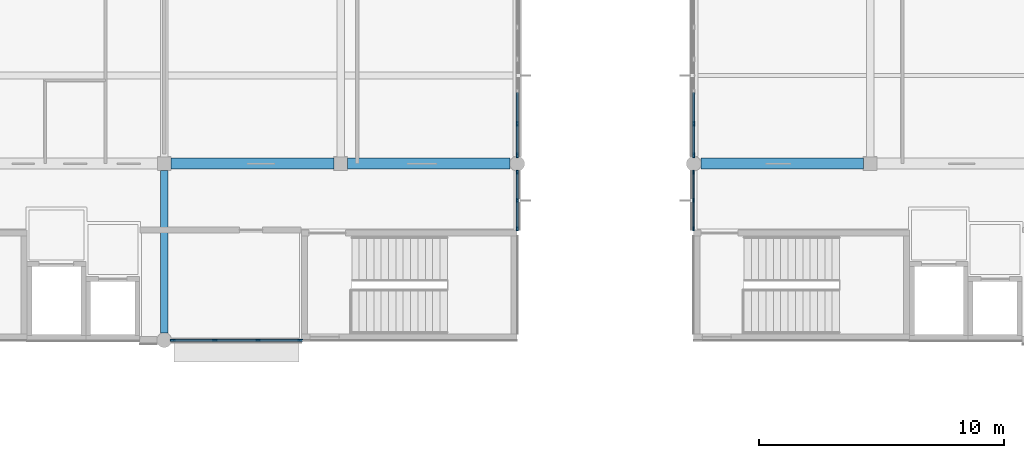
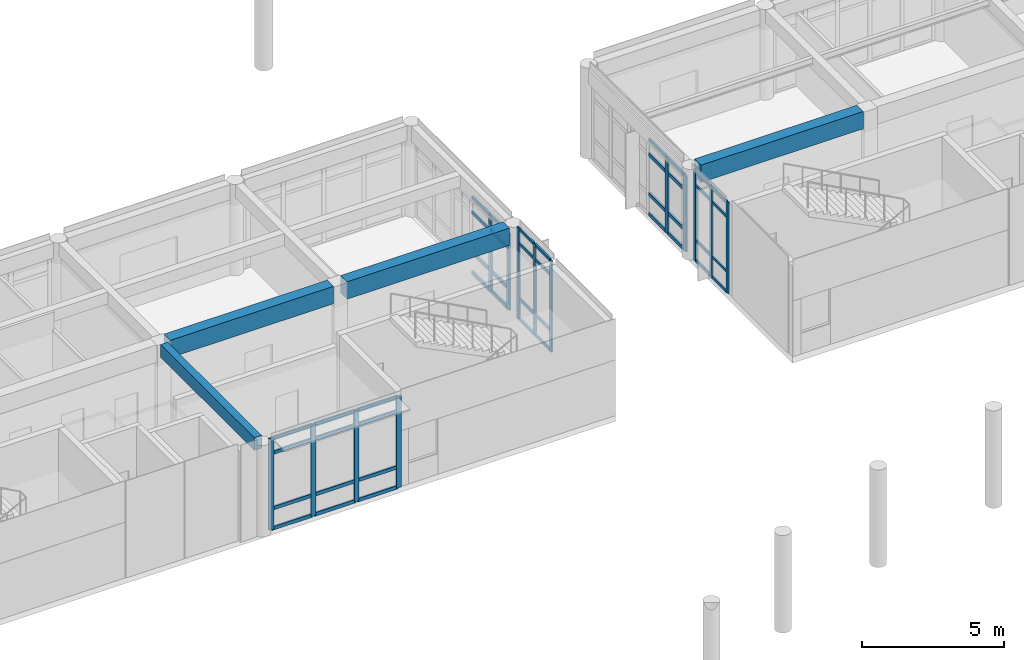
# One storey, part 4 of 29: 58 members, 4 beams, 5 elements without a shape of their own.
"""IFC4 building model written with IfcOpenShell, lengths in metres."""

from ifc_helpers import new_model, si_unit, direction, frame, origin, origin_2d, place, context, subcontext, project, spatial, rectangle, extrude, material, layer, layer_set, material_profile, profile_set, type_object, element, aggregate, save


model = new_model("IFC4")

# Units and contexts
model_context = context("Model", 3, precision=1e-05, world=origin(), true_north=direction((0.0, 1.0)))
body_context = subcontext(model_context, "Body", "Model", "MODEL_VIEW")
ifc_project = project(units=[si_unit("LENGTHUNIT", "METRE"), si_unit("AREAUNIT", "SQUARE_METRE"), si_unit("VOLUMEUNIT", "CUBIC_METRE"), si_unit("PLANEANGLEUNIT", "RADIAN"), si_unit("MASSUNIT", "GRAM", prefix="KILO")], contexts=[model_context])

# Site, building, storey
site_placement = place(None, origin())
site = spatial("IfcSite", under=ifc_project, at=site_placement, CompositionType="ELEMENT")
building_placement = place(site_placement, origin())
building = spatial("IfcBuilding", under=site, at=building_placement, Name="Namkhue Oval Health Centre", CompositionType="ELEMENT")
storey_placement = place(building_placement, frame((0.0, 0.0, 18.0)))
storey = spatial("IfcBuildingStorey", under=building, at=storey_placement, Name="L04", CompositionType="ELEMENT", Elevation=18.0)

# Curtain wall, members
ifc_material_1 = material(Name="Anodised aluminium EN AW-6063 T6", Category="aluminium")
ifc_layer_1 = layer(ifc_material_1, 0.159912109375)
ifc_layer_set_1 = layer_set([ifc_layer_1], Name="Anodised aluminium EN AW-6063 T6")
curtain_wall_type_1 = type_object("IfcCurtainWallType", Name="UNITISED CURTAIN WALL M1200", PredefinedType="NOTDEFINED", material=ifc_layer_set_1)
curtain_wall_1_placement = place(storey_placement, origin())
curtain_wall_1 = element("IfcCurtainWall", 1, at=curtain_wall_1_placement, inside=storey, type_object=curtain_wall_type_1, Name="Volume V2 L04 Unitised Curtain Wall 79", PredefinedType="NOTDEFINED")
ifc_material_profile_1 = material_profile(ifc_material_1, rectangle(XDim=0.06494140625, YDim=0.159912109375, at=origin_2d()), Name="ALU 65x160")
ifc_profile_set_1 = profile_set([ifc_material_profile_1], Name="Anodised aluminium EN AW-6063 T6")
member_type_1 = type_object("IfcMemberType", Name="CURTAIN WALL MULLION 65X160", PredefinedType="MULLION", material=ifc_profile_set_1)
member_1_placement = place(storey_placement, frame((86.39990234375, 94.549560546875, 0.0), z_axis=(0.0, 0.0, 1.0), x_axis=(-1.0, 0.0, 0.0)))
member_1 = element("IfcMember", 2, at=member_1_placement, type_object=member_type_1, Name="CW-01 mullion 1", PredefinedType="MULLION", context=body_context, shape_type="SweptSolid", body=[
    extrude(rectangle(XDim=0.06494140625, YDim=0.159912109375, at=origin_2d()), origin(), (0.0, 0.0, 1.0), 3.93994140625),
])
member_2_placement = place(storey_placement, frame((86.39990234375, 95.70361328125, 0.0), z_axis=(0.0, 0.0, 1.0), x_axis=(-1.0, 0.0, 0.0)))
member_2 = element("IfcMember", 3, at=member_2_placement, type_object=member_type_1, Name="CW-01 mullion 2", PredefinedType="MULLION", context=body_context, shape_type="SweptSolid", body=[
    extrude(rectangle(XDim=0.06494140625, YDim=0.159912109375, at=origin_2d()), origin(), (0.0, 0.0, 1.0), 3.93994140625),
])
member_3_placement = place(storey_placement, frame((86.39990234375, 96.857421875, 0.0), z_axis=(0.0, 0.0, 1.0), x_axis=(-1.0, 0.0, 0.0)))
member_3 = element("IfcMember", 4, at=member_3_placement, type_object=member_type_1, Name="CW-01 mullion 3", PredefinedType="MULLION", context=body_context, shape_type="SweptSolid", body=[
    extrude(rectangle(XDim=0.06494140625, YDim=0.159912109375, at=origin_2d()), origin(), (0.0, 0.0, 1.0), 3.93994140625),
])

ifc_layer_2 = layer(ifc_material_1, 0.159912109375)
ifc_layer_set_2 = layer_set([ifc_layer_2], Name="Anodised aluminium EN AW-6063 T6")
curtain_wall_type_2 = type_object("IfcCurtainWallType", Name="UNITISED CURTAIN WALL M1500", PredefinedType="NOTDEFINED", material=ifc_layer_set_2)
curtain_wall_2_placement = place(storey_placement, origin())
curtain_wall_2 = element("IfcCurtainWall", 5, at=curtain_wall_2_placement, inside=storey, type_object=curtain_wall_type_2, Name="Volume V3 L04 Unitised Curtain Wall 129", PredefinedType="NOTDEFINED")
member_4_placement = place(storey_placement, frame((93.60009765625, 96.857421875, 0.0), z_axis=(0.0, 0.0, 1.0), x_axis=(1.0, 0.0, 0.0)))
member_4 = element("IfcMember", 6, at=member_4_placement, type_object=member_type_1, Name="CW-03 mullion 1", PredefinedType="MULLION", context=body_context, shape_type="SweptSolid", body=[
    extrude(rectangle(XDim=0.06494140625, YDim=0.159912109375, at=origin_2d()), origin(), (0.0, 0.0, 1.0), 3.9150390625),
])
member_5_placement = place(storey_placement, frame((93.60009765625, 95.70361328125, 0.0), z_axis=(0.0, 0.0, 1.0), x_axis=(1.0, 0.0, 0.0)))
member_5 = element("IfcMember", 7, at=member_5_placement, type_object=member_type_1, Name="CW-03 mullion 2", PredefinedType="MULLION", context=body_context, shape_type="SweptSolid", body=[
    extrude(rectangle(XDim=0.06494140625, YDim=0.159912109375, at=origin_2d()), origin(), (0.0, 0.0, 1.0), 3.9150390625),
])
member_6_placement = place(storey_placement, frame((93.60009765625, 94.549560546875, 0.0), z_axis=(0.0, 0.0, 1.0), x_axis=(1.0, 0.0, 0.0)))
member_6 = element("IfcMember", 8, at=member_6_placement, type_object=member_type_1, Name="CW-03 mullion 3", PredefinedType="MULLION", context=body_context, shape_type="SweptSolid", body=[
    extrude(rectangle(XDim=0.06494140625, YDim=0.159912109375, at=origin_2d()), origin(), (0.0, 0.0, 1.0), 3.9150390625),
])

ifc_layer_3 = layer(ifc_material_1, 0.159912109375)
ifc_layer_set_3 = layer_set([ifc_layer_3], Name="Anodised aluminium EN AW-6063 T6")
curtain_wall_type_3 = type_object("IfcCurtainWallType", Name="UNITISED CURTAIN WALL M2000", PredefinedType="NOTDEFINED", material=ifc_layer_set_3)
curtain_wall_3_placement = place(storey_placement, origin())
curtain_wall_3 = element("IfcCurtainWall", 9, at=curtain_wall_3_placement, inside=storey, type_object=curtain_wall_type_3, Name="Volume V2 L04 Unitised Curtain Wall 78", PredefinedType="NOTDEFINED")
ifc_material_profile_2 = material_profile(ifc_material_1, rectangle(XDim=0.074951171875, YDim=0.199951171875, at=origin_2d()), Name="ALU 75x200")
ifc_profile_set_2 = profile_set([ifc_material_profile_2], Name="Anodised aluminium EN AW-6063 T6")
member_type_2 = type_object("IfcMemberType", Name="CURTAIN WALL MULLION 75X200", PredefinedType="MULLION", material=ifc_profile_set_2)
member_7_placement = place(storey_placement, frame((72.347412109375, 90.0, 0.0), z_axis=(0.0, 0.0, 1.0), x_axis=(0.0, 1.0, 0.0)))
member_7 = element("IfcMember", 10, at=member_7_placement, type_object=member_type_2, Name="CW-06 mullion 1", PredefinedType="MULLION", context=body_context, shape_type="SweptSolid", body=[
    extrude(rectangle(XDim=0.074951171875, YDim=0.199951171875, at=origin_2d()), origin(), (0.0, 0.0, 1.0), 3.93994140625),
])
member_8_placement = place(storey_placement, frame((74.067626953125, 90.0, 0.0), z_axis=(0.0, 0.0, 1.0), x_axis=(0.0, 1.0, 0.0)))
member_8 = element("IfcMember", 11, at=member_8_placement, type_object=member_type_2, Name="CW-06 mullion 2", PredefinedType="MULLION", context=body_context, shape_type="SweptSolid", body=[
    extrude(rectangle(XDim=0.074951171875, YDim=0.199951171875, at=origin_2d()), origin(), (0.0, 0.0, 1.0), 3.93994140625),
])
member_9_placement = place(storey_placement, frame((75.825439453125, 90.0, 0.0), z_axis=(0.0, 0.0, 1.0), x_axis=(0.0, 1.0, 0.0)))
member_9 = element("IfcMember", 12, at=member_9_placement, type_object=member_type_2, Name="CW-06 mullion 3", PredefinedType="MULLION", context=body_context, shape_type="SweptSolid", body=[
    extrude(rectangle(XDim=0.074951171875, YDim=0.199951171875, at=origin_2d()), origin(), (0.0, 0.0, 1.0), 3.93994140625),
])
member_10_placement = place(storey_placement, frame((77.54541015625, 90.0, 0.0), z_axis=(0.0, 0.0, 1.0), x_axis=(0.0, 1.0, 0.0)))
member_10 = element("IfcMember", 13, at=member_10_placement, type_object=member_type_2, Name="CW-06 mullion 4", PredefinedType="MULLION", context=body_context, shape_type="SweptSolid", body=[
    extrude(rectangle(XDim=0.074951171875, YDim=0.199951171875, at=origin_2d()), origin(), (0.0, 0.0, 1.0), 3.93994140625),
])

ifc_layer_4 = layer(ifc_material_1, 0.159912109375)
ifc_layer_set_4 = layer_set([ifc_layer_4], Name="Anodised aluminium EN AW-6063 T6")
curtain_wall_type_4 = type_object("IfcCurtainWallType", Name="UNITISED CURTAIN WALL M1350", PredefinedType="NOTDEFINED", material=ifc_layer_set_4)
curtain_wall_4_placement = place(storey_placement, origin())
curtain_wall_4 = element("IfcCurtainWall", 14, at=curtain_wall_4_placement, inside=storey, type_object=curtain_wall_type_4, Name="Volume V2 L04 Unitised Curtain Wall 80", PredefinedType="NOTDEFINED")
member_11_placement = place(storey_placement, frame((86.39990234375, 97.547607421875, 0.0), z_axis=(0.0, 0.0, 1.0), x_axis=(-1.0, 0.0, 0.0)))
member_11 = element("IfcMember", 15, at=member_11_placement, type_object=member_type_2, Name="CW-02 mullion 1", PredefinedType="MULLION", context=body_context, shape_type="SweptSolid", body=[
    extrude(rectangle(XDim=0.074951171875, YDim=0.199951171875, at=origin_2d()), origin(), (0.0, 0.0, 1.0), 3.2900390625),
])
member_12_placement = place(storey_placement, frame((86.39990234375, 98.825927734375, 0.0), z_axis=(0.0, 0.0, 1.0), x_axis=(-1.0, 0.0, 0.0)))
member_12 = element("IfcMember", 16, at=member_12_placement, type_object=member_type_2, Name="CW-02 mullion 2", PredefinedType="MULLION", context=body_context, shape_type="SweptSolid", body=[
    extrude(rectangle(XDim=0.074951171875, YDim=0.199951171875, at=origin_2d()), origin(), (0.0, 0.0, 1.0), 3.2900390625),
])

curtain_wall_5_placement = place(storey_placement, origin())
curtain_wall_5 = element("IfcCurtainWall", 17, at=curtain_wall_5_placement, inside=storey, type_object=curtain_wall_type_4, Name="Volume V3 L04 Unitised Curtain Wall 128", PredefinedType="NOTDEFINED")
member_13_placement = place(storey_placement, frame((93.60009765625, 98.825927734375, 0.0), z_axis=(0.0, 0.0, 1.0), x_axis=(1.0, 0.0, 0.0)))
member_13 = element("IfcMember", 18, at=member_13_placement, type_object=member_type_2, Name="CW-02 mullion 5", PredefinedType="MULLION", context=body_context, shape_type="SweptSolid", body=[
    extrude(rectangle(XDim=0.074951171875, YDim=0.199951171875, at=origin_2d()), origin(), (0.0, 0.0, 1.0), 3.264892578125),
])
member_14_placement = place(storey_placement, frame((93.60009765625, 97.547607421875, 0.0), z_axis=(0.0, 0.0, 1.0), x_axis=(1.0, 0.0, 0.0)))
member_14 = element("IfcMember", 19, at=member_14_placement, type_object=member_type_2, Name="CW-02 mullion 6", PredefinedType="MULLION", context=body_context, shape_type="SweptSolid", body=[
    extrude(rectangle(XDim=0.074951171875, YDim=0.199951171875, at=origin_2d()), origin(), (0.0, 0.0, 1.0), 3.264892578125),
])

# Member
ifc_material_profile_3 = material_profile(ifc_material_1, rectangle(XDim=0.06494140625, YDim=0.1201171875, at=origin_2d()), Name="ALU 65x120")
ifc_profile_set_3 = profile_set([ifc_material_profile_3], Name="Anodised aluminium EN AW-6063 T6")
member_type_3 = type_object("IfcMemberType", Name="CURTAIN WALL TRANSOM 65X120", PredefinedType="USERDEFINED", material=ifc_profile_set_3)
member_15_placement = place(storey_placement, frame((86.39990234375, 94.58203125, 0.032470703125), z_axis=(0.0, 1.0, 0.0), x_axis=(-1.0, 0.0, 0.0)))
member_15 = element("IfcMember", 20, at=member_15_placement, type_object=member_type_3, Name="CW-01 transom 1.1", ObjectType="TRANSOM", PredefinedType="USERDEFINED", context=body_context, shape_type="SweptSolid", body=[
    extrude(rectangle(XDim=0.06494140625, YDim=0.1201171875, at=origin_2d()), origin(), (0.0, 0.0, 1.0), 1.0888671875),
])

member_16_placement = place(storey_placement, frame((86.39990234375, 94.58203125, 0.89990234375), z_axis=(0.0, 1.0, 0.0), x_axis=(-1.0, 0.0, 0.0)))
member_16 = element("IfcMember", 21, at=member_16_placement, type_object=member_type_3, Name="CW-01 transom 1.2", ObjectType="TRANSOM", PredefinedType="USERDEFINED", context=body_context, shape_type="SweptSolid", body=[
    extrude(rectangle(XDim=0.06494140625, YDim=0.1201171875, at=origin_2d()), origin(), (0.0, 0.0, 1.0), 1.0888671875),
])

member_17_placement = place(storey_placement, frame((86.39990234375, 94.58203125, 3.2900390625), z_axis=(0.0, 1.0, 0.0), x_axis=(-1.0, 0.0, 0.0)))
member_17 = element("IfcMember", 22, at=member_17_placement, type_object=member_type_3, Name="CW-01 transom 1.3", ObjectType="TRANSOM", PredefinedType="USERDEFINED", context=body_context, shape_type="SweptSolid", body=[
    extrude(rectangle(XDim=0.06494140625, YDim=0.1201171875, at=origin_2d()), origin(), (0.0, 0.0, 1.0), 1.0888671875),
])

member_18_placement = place(storey_placement, frame((86.39990234375, 94.58203125, 3.907470703125), z_axis=(0.0, 1.0, 0.0), x_axis=(-1.0, 0.0, 0.0)))
member_18 = element("IfcMember", 23, at=member_18_placement, type_object=member_type_3, Name="CW-01 transom 1.4", ObjectType="TRANSOM", PredefinedType="USERDEFINED", context=body_context, shape_type="SweptSolid", body=[
    extrude(rectangle(XDim=0.06494140625, YDim=0.1201171875, at=origin_2d()), origin(), (0.0, 0.0, 1.0), 1.0888671875),
])

member_19_placement = place(storey_placement, frame((86.39990234375, 95.736083984375, 0.032470703125), z_axis=(0.0, 1.0, 0.0), x_axis=(-1.0, 0.0, 0.0)))
member_19 = element("IfcMember", 24, at=member_19_placement, type_object=member_type_3, Name="CW-01 transom 2.1", ObjectType="TRANSOM", PredefinedType="USERDEFINED", context=body_context, shape_type="SweptSolid", body=[
    extrude(rectangle(XDim=0.06494140625, YDim=0.1201171875, at=origin_2d()), origin(), (0.0, 0.0, 1.0), 1.0888671875),
])

member_20_placement = place(storey_placement, frame((86.39990234375, 95.736083984375, 0.89990234375), z_axis=(0.0, 1.0, 0.0), x_axis=(-1.0, 0.0, 0.0)))
member_20 = element("IfcMember", 25, at=member_20_placement, type_object=member_type_3, Name="CW-01 transom 2.2", ObjectType="TRANSOM", PredefinedType="USERDEFINED", context=body_context, shape_type="SweptSolid", body=[
    extrude(rectangle(XDim=0.06494140625, YDim=0.1201171875, at=origin_2d()), origin(), (0.0, 0.0, 1.0), 1.0888671875),
])

member_21_placement = place(storey_placement, frame((86.39990234375, 95.736083984375, 3.2900390625), z_axis=(0.0, 1.0, 0.0), x_axis=(-1.0, 0.0, 0.0)))
member_21 = element("IfcMember", 26, at=member_21_placement, type_object=member_type_3, Name="CW-01 transom 2.3", ObjectType="TRANSOM", PredefinedType="USERDEFINED", context=body_context, shape_type="SweptSolid", body=[
    extrude(rectangle(XDim=0.06494140625, YDim=0.1201171875, at=origin_2d()), origin(), (0.0, 0.0, 1.0), 1.0888671875),
])

member_22_placement = place(storey_placement, frame((86.39990234375, 95.736083984375, 3.907470703125), z_axis=(0.0, 1.0, 0.0), x_axis=(-1.0, 0.0, 0.0)))
member_22 = element("IfcMember", 27, at=member_22_placement, type_object=member_type_3, Name="CW-01 transom 2.4", ObjectType="TRANSOM", PredefinedType="USERDEFINED", context=body_context, shape_type="SweptSolid", body=[
    extrude(rectangle(XDim=0.06494140625, YDim=0.1201171875, at=origin_2d()), origin(), (0.0, 0.0, 1.0), 1.0888671875),
])

aggregate(curtain_wall_1, [member_1, member_2, member_3, member_15, member_16, member_17, member_18, member_19, member_20, member_21, member_22])

member_23_placement = place(storey_placement, frame((93.60009765625, 96.824951171875, 0.032470703125), z_axis=(0.0, -1.0, 0.0), x_axis=(1.0, 0.0, 0.0)))
member_23 = element("IfcMember", 28, at=member_23_placement, type_object=member_type_3, Name="CW-03 transom 1.1", ObjectType="TRANSOM", PredefinedType="USERDEFINED", context=body_context, shape_type="SweptSolid", body=[
    extrude(rectangle(XDim=0.06494140625, YDim=0.1201171875, at=origin_2d()), origin(), (0.0, 0.0, 1.0), 1.0888671875),
])

member_24_placement = place(storey_placement, frame((93.60009765625, 96.824951171875, 0.89990234375), z_axis=(0.0, -1.0, 0.0), x_axis=(1.0, 0.0, 0.0)))
member_24 = element("IfcMember", 29, at=member_24_placement, type_object=member_type_3, Name="CW-03 transom 1.2", ObjectType="TRANSOM", PredefinedType="USERDEFINED", context=body_context, shape_type="SweptSolid", body=[
    extrude(rectangle(XDim=0.06494140625, YDim=0.1201171875, at=origin_2d()), origin(), (0.0, 0.0, 1.0), 1.0888671875),
])

member_25_placement = place(storey_placement, frame((93.60009765625, 96.824951171875, 3.264892578125), z_axis=(0.0, -1.0, 0.0), x_axis=(1.0, 0.0, 0.0)))
member_25 = element("IfcMember", 30, at=member_25_placement, type_object=member_type_3, Name="CW-03 transom 1.3", ObjectType="TRANSOM", PredefinedType="USERDEFINED", context=body_context, shape_type="SweptSolid", body=[
    extrude(rectangle(XDim=0.06494140625, YDim=0.1201171875, at=origin_2d()), origin(), (0.0, 0.0, 1.0), 1.0888671875),
])

member_26_placement = place(storey_placement, frame((93.60009765625, 96.824951171875, 3.882568359375), z_axis=(0.0, -1.0, 0.0), x_axis=(1.0, 0.0, 0.0)))
member_26 = element("IfcMember", 31, at=member_26_placement, type_object=member_type_3, Name="CW-03 transom 1.4", ObjectType="TRANSOM", PredefinedType="USERDEFINED", context=body_context, shape_type="SweptSolid", body=[
    extrude(rectangle(XDim=0.06494140625, YDim=0.1201171875, at=origin_2d()), origin(), (0.0, 0.0, 1.0), 1.0888671875),
])

member_27_placement = place(storey_placement, frame((93.60009765625, 95.6708984375, 0.032470703125), z_axis=(0.0, -1.0, 0.0), x_axis=(1.0, 0.0, 0.0)))
member_27 = element("IfcMember", 32, at=member_27_placement, type_object=member_type_3, Name="CW-03 transom 2.1", ObjectType="TRANSOM", PredefinedType="USERDEFINED", context=body_context, shape_type="SweptSolid", body=[
    extrude(rectangle(XDim=0.06494140625, YDim=0.1201171875, at=origin_2d()), origin(), (0.0, 0.0, 1.0), 1.0888671875),
])

member_28_placement = place(storey_placement, frame((93.60009765625, 95.6708984375, 0.89990234375), z_axis=(0.0, -1.0, 0.0), x_axis=(1.0, 0.0, 0.0)))
member_28 = element("IfcMember", 33, at=member_28_placement, type_object=member_type_3, Name="CW-03 transom 2.2", ObjectType="TRANSOM", PredefinedType="USERDEFINED", context=body_context, shape_type="SweptSolid", body=[
    extrude(rectangle(XDim=0.06494140625, YDim=0.1201171875, at=origin_2d()), origin(), (0.0, 0.0, 1.0), 1.0888671875),
])

member_29_placement = place(storey_placement, frame((93.60009765625, 95.6708984375, 3.264892578125), z_axis=(0.0, -1.0, 0.0), x_axis=(1.0, 0.0, 0.0)))
member_29 = element("IfcMember", 34, at=member_29_placement, type_object=member_type_3, Name="CW-03 transom 2.3", ObjectType="TRANSOM", PredefinedType="USERDEFINED", context=body_context, shape_type="SweptSolid", body=[
    extrude(rectangle(XDim=0.06494140625, YDim=0.1201171875, at=origin_2d()), origin(), (0.0, 0.0, 1.0), 1.0888671875),
])

member_30_placement = place(storey_placement, frame((93.60009765625, 95.6708984375, 3.882568359375), z_axis=(0.0, -1.0, 0.0), x_axis=(1.0, 0.0, 0.0)))
member_30 = element("IfcMember", 35, at=member_30_placement, type_object=member_type_3, Name="CW-03 transom 2.4", ObjectType="TRANSOM", PredefinedType="USERDEFINED", context=body_context, shape_type="SweptSolid", body=[
    extrude(rectangle(XDim=0.06494140625, YDim=0.1201171875, at=origin_2d()), origin(), (0.0, 0.0, 1.0), 1.0888671875),
])

aggregate(curtain_wall_2, [member_4, member_5, member_6, member_23, member_24, member_25, member_26, member_27, member_28, member_29, member_30])

ifc_material_profile_4 = material_profile(ifc_material_1, rectangle(XDim=0.074951171875, YDim=0.14990234375, at=origin_2d()), Name="ALU 75x150")
ifc_profile_set_4 = profile_set([ifc_material_profile_4], Name="Anodised aluminium EN AW-6063 T6")
member_type_4 = type_object("IfcMemberType", Name="CURTAIN WALL TRANSOM 75X150", PredefinedType="USERDEFINED", material=ifc_profile_set_4)
member_31_placement = place(storey_placement, frame((72.385009765625, 90.0, 0.03759765625), z_axis=(1.0, 0.0, 0.0), x_axis=(0.0, 1.0, 0.0)))
member_31 = element("IfcMember", 36, at=member_31_placement, type_object=member_type_4, Name="CW-06 transom 1.1", ObjectType="TRANSOM", PredefinedType="USERDEFINED", context=body_context, shape_type="SweptSolid", body=[
    extrude(rectangle(XDim=0.074951171875, YDim=0.14990234375, at=origin_2d()), origin(), (0.0, 0.0, 1.0), 1.645263671875),
])

member_32_placement = place(storey_placement, frame((72.385009765625, 90.0, 0.89990234375), z_axis=(1.0, 0.0, 0.0), x_axis=(0.0, 1.0, 0.0)))
member_32 = element("IfcMember", 37, at=member_32_placement, type_object=member_type_4, Name="CW-06 transom 1.2", ObjectType="TRANSOM", PredefinedType="USERDEFINED", context=body_context, shape_type="SweptSolid", body=[
    extrude(rectangle(XDim=0.074951171875, YDim=0.14990234375, at=origin_2d()), origin(), (0.0, 0.0, 1.0), 1.645263671875),
])

member_33_placement = place(storey_placement, frame((72.385009765625, 90.0, 3.2900390625), z_axis=(1.0, 0.0, 0.0), x_axis=(0.0, 1.0, 0.0)))
member_33 = element("IfcMember", 38, at=member_33_placement, type_object=member_type_4, Name="CW-06 transom 1.3", ObjectType="TRANSOM", PredefinedType="USERDEFINED", context=body_context, shape_type="SweptSolid", body=[
    extrude(rectangle(XDim=0.074951171875, YDim=0.14990234375, at=origin_2d()), origin(), (0.0, 0.0, 1.0), 1.645263671875),
])

member_34_placement = place(storey_placement, frame((72.385009765625, 90.0, 3.902587890625), z_axis=(1.0, 0.0, 0.0), x_axis=(0.0, 1.0, 0.0)))
member_34 = element("IfcMember", 39, at=member_34_placement, type_object=member_type_4, Name="CW-06 transom 1.4", ObjectType="TRANSOM", PredefinedType="USERDEFINED", context=body_context, shape_type="SweptSolid", body=[
    extrude(rectangle(XDim=0.074951171875, YDim=0.14990234375, at=origin_2d()), origin(), (0.0, 0.0, 1.0), 1.645263671875),
])

member_35_placement = place(storey_placement, frame((74.105224609375, 90.0, 0.03759765625), z_axis=(1.0, 0.0, 0.0), x_axis=(0.0, 1.0, 0.0)))
member_35 = element("IfcMember", 40, at=member_35_placement, type_object=member_type_4, Name="CW-06 transom 2.1", ObjectType="TRANSOM", PredefinedType="USERDEFINED", context=body_context, shape_type="SweptSolid", body=[
    extrude(rectangle(XDim=0.074951171875, YDim=0.14990234375, at=origin_2d()), origin(), (0.0, 0.0, 1.0), 1.6826171875),
])

member_36_placement = place(storey_placement, frame((74.105224609375, 90.0, 0.89990234375), z_axis=(1.0, 0.0, 0.0), x_axis=(0.0, 1.0, 0.0)))
member_36 = element("IfcMember", 41, at=member_36_placement, type_object=member_type_4, Name="CW-06 transom 2.2", ObjectType="TRANSOM", PredefinedType="USERDEFINED", context=body_context, shape_type="SweptSolid", body=[
    extrude(rectangle(XDim=0.074951171875, YDim=0.14990234375, at=origin_2d()), origin(), (0.0, 0.0, 1.0), 1.6826171875),
])

member_37_placement = place(storey_placement, frame((74.105224609375, 90.0, 3.2900390625), z_axis=(1.0, 0.0, 0.0), x_axis=(0.0, 1.0, 0.0)))
member_37 = element("IfcMember", 42, at=member_37_placement, type_object=member_type_4, Name="CW-06 transom 2.3", ObjectType="TRANSOM", PredefinedType="USERDEFINED", context=body_context, shape_type="SweptSolid", body=[
    extrude(rectangle(XDim=0.074951171875, YDim=0.14990234375, at=origin_2d()), origin(), (0.0, 0.0, 1.0), 1.6826171875),
])

member_38_placement = place(storey_placement, frame((74.105224609375, 90.0, 3.902587890625), z_axis=(1.0, 0.0, 0.0), x_axis=(0.0, 1.0, 0.0)))
member_38 = element("IfcMember", 43, at=member_38_placement, type_object=member_type_4, Name="CW-06 transom 2.4", ObjectType="TRANSOM", PredefinedType="USERDEFINED", context=body_context, shape_type="SweptSolid", body=[
    extrude(rectangle(XDim=0.074951171875, YDim=0.14990234375, at=origin_2d()), origin(), (0.0, 0.0, 1.0), 1.6826171875),
])

member_39_placement = place(storey_placement, frame((75.86279296875, 90.0, 0.03759765625), z_axis=(1.0, 0.0, 0.0), x_axis=(0.0, 1.0, 0.0)))
member_39 = element("IfcMember", 44, at=member_39_placement, type_object=member_type_4, Name="CW-06 transom 3.1", ObjectType="TRANSOM", PredefinedType="USERDEFINED", context=body_context, shape_type="SweptSolid", body=[
    extrude(rectangle(XDim=0.074951171875, YDim=0.14990234375, at=origin_2d()), origin(), (0.0, 0.0, 1.0), 1.645263671875),
])

member_40_placement = place(storey_placement, frame((75.86279296875, 90.0, 0.89990234375), z_axis=(1.0, 0.0, 0.0), x_axis=(0.0, 1.0, 0.0)))
member_40 = element("IfcMember", 45, at=member_40_placement, type_object=member_type_4, Name="CW-06 transom 3.2", ObjectType="TRANSOM", PredefinedType="USERDEFINED", context=body_context, shape_type="SweptSolid", body=[
    extrude(rectangle(XDim=0.074951171875, YDim=0.14990234375, at=origin_2d()), origin(), (0.0, 0.0, 1.0), 1.645263671875),
])

member_41_placement = place(storey_placement, frame((75.86279296875, 90.0, 3.2900390625), z_axis=(1.0, 0.0, 0.0), x_axis=(0.0, 1.0, 0.0)))
member_41 = element("IfcMember", 46, at=member_41_placement, type_object=member_type_4, Name="CW-06 transom 3.3", ObjectType="TRANSOM", PredefinedType="USERDEFINED", context=body_context, shape_type="SweptSolid", body=[
    extrude(rectangle(XDim=0.074951171875, YDim=0.14990234375, at=origin_2d()), origin(), (0.0, 0.0, 1.0), 1.645263671875),
])

member_42_placement = place(storey_placement, frame((75.86279296875, 90.0, 3.902587890625), z_axis=(1.0, 0.0, 0.0), x_axis=(0.0, 1.0, 0.0)))
member_42 = element("IfcMember", 47, at=member_42_placement, type_object=member_type_4, Name="CW-06 transom 3.4", ObjectType="TRANSOM", PredefinedType="USERDEFINED", context=body_context, shape_type="SweptSolid", body=[
    extrude(rectangle(XDim=0.074951171875, YDim=0.14990234375, at=origin_2d()), origin(), (0.0, 0.0, 1.0), 1.645263671875),
])

aggregate(curtain_wall_3, [member_7, member_8, member_9, member_10, member_31, member_32, member_33, member_34, member_35, member_36, member_37, member_38, member_39, member_40, member_41, member_42])

member_43_placement = place(storey_placement, frame((86.39990234375, 97.5849609375, 0.03759765625), z_axis=(0.0, 1.0, 0.0), x_axis=(-1.0, 0.0, 0.0)))
member_43 = element("IfcMember", 48, at=member_43_placement, type_object=member_type_4, Name="CW-02 transom 1.1", ObjectType="TRANSOM", PredefinedType="USERDEFINED", context=body_context, shape_type="SweptSolid", body=[
    extrude(rectangle(XDim=0.074951171875, YDim=0.14990234375, at=origin_2d()), origin(), (0.0, 0.0, 1.0), 1.20361328125),
])

member_44_placement = place(storey_placement, frame((86.39990234375, 97.5849609375, 0.89990234375), z_axis=(0.0, 1.0, 0.0), x_axis=(-1.0, 0.0, 0.0)))
member_44 = element("IfcMember", 49, at=member_44_placement, type_object=member_type_4, Name="CW-02 transom 1.2", ObjectType="TRANSOM", PredefinedType="USERDEFINED", context=body_context, shape_type="SweptSolid", body=[
    extrude(rectangle(XDim=0.074951171875, YDim=0.14990234375, at=origin_2d()), origin(), (0.0, 0.0, 1.0), 1.20361328125),
])

member_45_placement = place(storey_placement, frame((86.39990234375, 97.5849609375, 2.639892578125), z_axis=(0.0, 1.0, 0.0), x_axis=(-1.0, 0.0, 0.0)))
member_45 = element("IfcMember", 50, at=member_45_placement, type_object=member_type_4, Name="CW-02 transom 1.3", ObjectType="TRANSOM", PredefinedType="USERDEFINED", context=body_context, shape_type="SweptSolid", body=[
    extrude(rectangle(XDim=0.074951171875, YDim=0.14990234375, at=origin_2d()), origin(), (0.0, 0.0, 1.0), 1.20361328125),
])

member_46_placement = place(storey_placement, frame((86.39990234375, 97.5849609375, 3.25244140625), z_axis=(0.0, 1.0, 0.0), x_axis=(-1.0, 0.0, 0.0)))
member_46 = element("IfcMember", 51, at=member_46_placement, type_object=member_type_4, Name="CW-02 transom 1.4", ObjectType="TRANSOM", PredefinedType="USERDEFINED", context=body_context, shape_type="SweptSolid", body=[
    extrude(rectangle(XDim=0.074951171875, YDim=0.14990234375, at=origin_2d()), origin(), (0.0, 0.0, 1.0), 1.20361328125),
])

member_47_placement = place(storey_placement, frame((86.39990234375, 98.863525390625, 0.03759765625), z_axis=(0.0, 1.0, 0.0), x_axis=(-1.0, 0.0, 0.0)))
member_47 = element("IfcMember", 52, at=member_47_placement, type_object=member_type_4, Name="CW-02 transom 2.1", ObjectType="TRANSOM", PredefinedType="USERDEFINED", context=body_context, shape_type="SweptSolid", body=[
    extrude(rectangle(XDim=0.074951171875, YDim=0.14990234375, at=origin_2d()), origin(), (0.0, 0.0, 1.0), 1.240966796875),
])

member_48_placement = place(storey_placement, frame((86.39990234375, 98.863525390625, 0.89990234375), z_axis=(0.0, 1.0, 0.0), x_axis=(-1.0, 0.0, 0.0)))
member_48 = element("IfcMember", 53, at=member_48_placement, type_object=member_type_4, Name="CW-02 transom 2.2", ObjectType="TRANSOM", PredefinedType="USERDEFINED", context=body_context, shape_type="SweptSolid", body=[
    extrude(rectangle(XDim=0.074951171875, YDim=0.14990234375, at=origin_2d()), origin(), (0.0, 0.0, 1.0), 1.240966796875),
])

member_49_placement = place(storey_placement, frame((86.39990234375, 98.863525390625, 2.639892578125), z_axis=(0.0, 1.0, 0.0), x_axis=(-1.0, 0.0, 0.0)))
member_49 = element("IfcMember", 54, at=member_49_placement, type_object=member_type_4, Name="CW-02 transom 2.3", ObjectType="TRANSOM", PredefinedType="USERDEFINED", context=body_context, shape_type="SweptSolid", body=[
    extrude(rectangle(XDim=0.074951171875, YDim=0.14990234375, at=origin_2d()), origin(), (0.0, 0.0, 1.0), 1.240966796875),
])

member_50_placement = place(storey_placement, frame((86.39990234375, 98.863525390625, 3.25244140625), z_axis=(0.0, 1.0, 0.0), x_axis=(-1.0, 0.0, 0.0)))
member_50 = element("IfcMember", 55, at=member_50_placement, type_object=member_type_4, Name="CW-02 transom 2.4", ObjectType="TRANSOM", PredefinedType="USERDEFINED", context=body_context, shape_type="SweptSolid", body=[
    extrude(rectangle(XDim=0.074951171875, YDim=0.14990234375, at=origin_2d()), origin(), (0.0, 0.0, 1.0), 1.240966796875),
])

aggregate(curtain_wall_4, [member_11, member_12, member_43, member_44, member_45, member_46, member_47, member_48, member_49, member_50])

member_51_placement = place(storey_placement, frame((93.60009765625, 100.1044921875, 0.03759765625), z_axis=(0.0, -1.0, 0.0), x_axis=(1.0, 0.0, 0.0)))
member_51 = element("IfcMember", 56, at=member_51_placement, type_object=member_type_4, Name="CW-02 transom 4.1", ObjectType="TRANSOM", PredefinedType="USERDEFINED", context=body_context, shape_type="SweptSolid", body=[
    extrude(rectangle(XDim=0.074951171875, YDim=0.14990234375, at=origin_2d()), origin(), (0.0, 0.0, 1.0), 1.240966796875),
])

member_52_placement = place(storey_placement, frame((93.60009765625, 100.1044921875, 0.89990234375), z_axis=(0.0, -1.0, 0.0), x_axis=(1.0, 0.0, 0.0)))
member_52 = element("IfcMember", 57, at=member_52_placement, type_object=member_type_4, Name="CW-02 transom 4.2", ObjectType="TRANSOM", PredefinedType="USERDEFINED", context=body_context, shape_type="SweptSolid", body=[
    extrude(rectangle(XDim=0.074951171875, YDim=0.14990234375, at=origin_2d()), origin(), (0.0, 0.0, 1.0), 1.240966796875),
])

member_53_placement = place(storey_placement, frame((93.60009765625, 100.1044921875, 2.614990234375), z_axis=(0.0, -1.0, 0.0), x_axis=(1.0, 0.0, 0.0)))
member_53 = element("IfcMember", 58, at=member_53_placement, type_object=member_type_4, Name="CW-02 transom 4.3", ObjectType="TRANSOM", PredefinedType="USERDEFINED", context=body_context, shape_type="SweptSolid", body=[
    extrude(rectangle(XDim=0.074951171875, YDim=0.14990234375, at=origin_2d()), origin(), (0.0, 0.0, 1.0), 1.240966796875),
])

member_54_placement = place(storey_placement, frame((93.60009765625, 100.1044921875, 3.2275390625), z_axis=(0.0, -1.0, 0.0), x_axis=(1.0, 0.0, 0.0)))
member_54 = element("IfcMember", 59, at=member_54_placement, type_object=member_type_4, Name="CW-02 transom 4.4", ObjectType="TRANSOM", PredefinedType="USERDEFINED", context=body_context, shape_type="SweptSolid", body=[
    extrude(rectangle(XDim=0.074951171875, YDim=0.14990234375, at=origin_2d()), origin(), (0.0, 0.0, 1.0), 1.240966796875),
])

member_55_placement = place(storey_placement, frame((93.60009765625, 98.78857421875, 0.03759765625), z_axis=(0.0, -1.0, 0.0), x_axis=(1.0, 0.0, 0.0)))
member_55 = element("IfcMember", 60, at=member_55_placement, type_object=member_type_4, Name="CW-02 transom 5.1", ObjectType="TRANSOM", PredefinedType="USERDEFINED", context=body_context, shape_type="SweptSolid", body=[
    extrude(rectangle(XDim=0.074951171875, YDim=0.14990234375, at=origin_2d()), origin(), (0.0, 0.0, 1.0), 1.20361328125),
])

member_56_placement = place(storey_placement, frame((93.60009765625, 98.78857421875, 0.89990234375), z_axis=(0.0, -1.0, 0.0), x_axis=(1.0, 0.0, 0.0)))
member_56 = element("IfcMember", 61, at=member_56_placement, type_object=member_type_4, Name="CW-02 transom 5.2", ObjectType="TRANSOM", PredefinedType="USERDEFINED", context=body_context, shape_type="SweptSolid", body=[
    extrude(rectangle(XDim=0.074951171875, YDim=0.14990234375, at=origin_2d()), origin(), (0.0, 0.0, 1.0), 1.20361328125),
])

member_57_placement = place(storey_placement, frame((93.60009765625, 98.78857421875, 2.614990234375), z_axis=(0.0, -1.0, 0.0), x_axis=(1.0, 0.0, 0.0)))
member_57 = element("IfcMember", 62, at=member_57_placement, type_object=member_type_4, Name="CW-02 transom 5.3", ObjectType="TRANSOM", PredefinedType="USERDEFINED", context=body_context, shape_type="SweptSolid", body=[
    extrude(rectangle(XDim=0.074951171875, YDim=0.14990234375, at=origin_2d()), origin(), (0.0, 0.0, 1.0), 1.20361328125),
])

member_58_placement = place(storey_placement, frame((93.60009765625, 98.78857421875, 3.2275390625), z_axis=(0.0, -1.0, 0.0), x_axis=(1.0, 0.0, 0.0)))
member_58 = element("IfcMember", 63, at=member_58_placement, type_object=member_type_4, Name="CW-02 transom 5.4", ObjectType="TRANSOM", PredefinedType="USERDEFINED", context=body_context, shape_type="SweptSolid", body=[
    extrude(rectangle(XDim=0.074951171875, YDim=0.14990234375, at=origin_2d()), origin(), (0.0, 0.0, 1.0), 1.20361328125),
])

aggregate(curtain_wall_5, [member_13, member_14, member_51, member_52, member_53, member_54, member_55, member_56, member_57, member_58])

# Beams
ifc_material_2 = material(Name="Reinforced concrete C30/37 (TCVN B35)", Category="concrete")
ifc_material_profile_5 = material_profile(ifc_material_2, rectangle(XDim=0.300048828125, YDim=0.550048828125, at=origin_2d()), Name="RC 300x550")
ifc_profile_set_5 = profile_set([ifc_material_profile_5], Name="Reinforced concrete C30/37 (TCVN B35)")
beam_type_1 = type_object("IfcBeamType", Name="FLOOR BEAM RC 300X550", PredefinedType="BEAM", material=ifc_profile_set_5)
beam_1_placement = place(storey_placement, frame((72.0, 90.300048828125, 3.6650390625), z_axis=(0.0, 1.0, 0.0), x_axis=(-1.0, 0.0, 0.0)))
element("IfcBeam", 64, at=beam_1_placement, inside=storey, type_object=beam_type_1, Name="Volume V2 L05 Beam 11/N-O", PredefinedType="BEAM", context=body_context, shape_type="SweptSolid", body=[
    extrude(rectangle(XDim=0.300048828125, YDim=0.550048828125, at=origin_2d()), origin(), (0.0, 0.0, 1.0), 6.625),
])
ifc_material_3 = material(Name="Reinforced concrete C35/45 (TCVN B40)", Category="concrete")
ifc_material_profile_6 = material_profile(ifc_material_3, rectangle(XDim=0.449951171875, YDim=0.75, at=origin_2d()), Name="RC 450x750")
ifc_profile_set_6 = profile_set([ifc_material_profile_6], Name="Reinforced concrete C35/45 (TCVN B40)")
beam_type_2 = type_object("IfcBeamType", Name="PRIMARY GIRDER RC 450X750", PredefinedType="USERDEFINED", material=ifc_profile_set_6)
beam_2_placement = place(storey_placement, frame((72.27490234375, 97.199951171875, 3.56494140625), z_axis=(1.0, 0.0, 0.0), x_axis=(0.0, 1.0, 0.0)))
element("IfcBeam", 65, at=beam_2_placement, inside=storey, type_object=beam_type_2, Name="Volume V2 L05 Girder O/11-12", ObjectType="GIRDER", PredefinedType="USERDEFINED", context=body_context, shape_type="SweptSolid", body=[
    extrude(rectangle(XDim=0.449951171875, YDim=0.75, at=origin_2d()), origin(), (0.0, 0.0, 1.0), 6.650146484375),
])
for number, where, z_axis, x_axis, name in (
    (66, (79.47509765625, 97.199951171875, 3.56494140625), (1.0, 0.0, 0.0), (0.0, 1.0, 0.0), "Volume V2 L05 Girder O/12-13"),
    (67, (93.89990234375, 97.199951171875, 3.5400390625), (1.0, 0.0, 0.0), (0.0, 1.0, 0.0), "Volume V3 L05 Girder O/14-15"),
):
    element("IfcBeam", number, at=place(storey_placement, frame(where, z_axis=z_axis, x_axis=x_axis)), inside=storey, type_object=beam_type_2, Name=name, ObjectType="GIRDER", PredefinedType="USERDEFINED", context=body_context, shape_type="SweptSolid", body=[
        extrude(rectangle(XDim=0.449951171875, YDim=0.75, at=origin_2d()), origin(), (0.0, 0.0, 1.0), 6.625),
    ])

save(model, "model.ifc")
